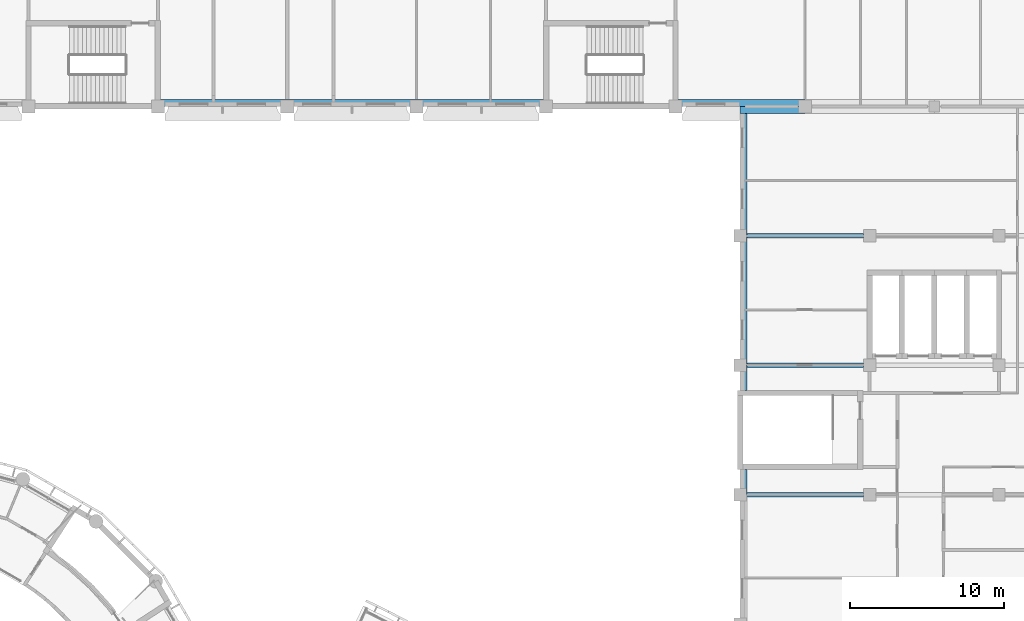
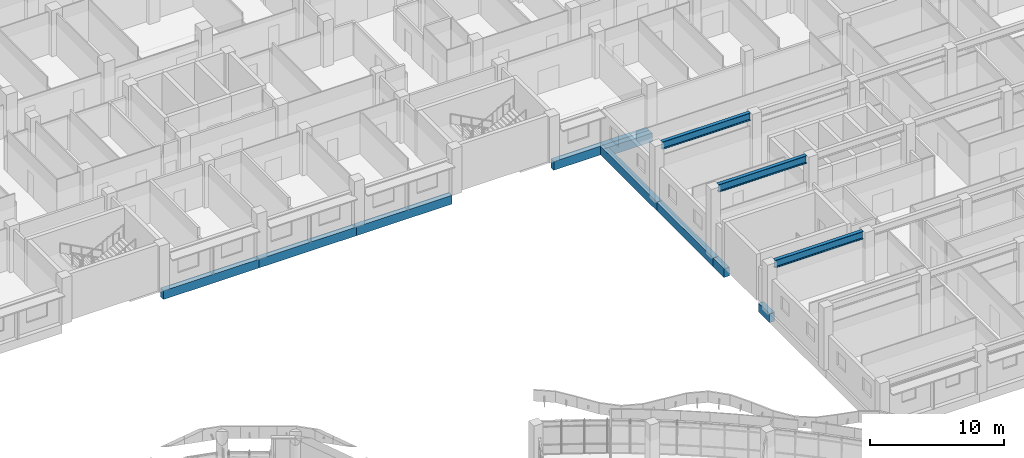
# One storey, part 26 of 109: 12 beams.
"""IFC4 building model written with IfcOpenShell, lengths in metres."""

from ifc_helpers import new_model, si_unit, direction, frame, origin, origin_2d, place, context, subcontext, project, spatial, rectangle, i_section, extrude, material, material_profile, profile_set, type_object, element, save


model = new_model("IFC4")

# Units and contexts
model_context = context("Model", 3, precision=1e-05, world=origin(), true_north=direction((0.0, 1.0)))
body_context = subcontext(model_context, "Body", "Model", "MODEL_VIEW")
ifc_project = project(units=[si_unit("LENGTHUNIT", "METRE"), si_unit("AREAUNIT", "SQUARE_METRE"), si_unit("VOLUMEUNIT", "CUBIC_METRE"), si_unit("PLANEANGLEUNIT", "RADIAN"), si_unit("MASSUNIT", "GRAM", prefix="KILO")], contexts=[model_context])

# Site, building, storey
site_placement = place(None, origin())
site = spatial("IfcSite", under=ifc_project, at=site_placement, CompositionType="ELEMENT")
building_placement = place(site_placement, origin())
building = spatial("IfcBuilding", under=site, at=building_placement, Name="Bougainvillea Quay General Hospital", CompositionType="ELEMENT")
storey_placement = place(building_placement, frame((0.0, 0.0, 12.60009765625)))
storey = spatial("IfcBuildingStorey", under=building, at=storey_placement, Name="L02", CompositionType="ELEMENT", Elevation=12.60009765625)

# Beams
ifc_material_1 = material(Name="Steel Q355", Category="steel")
ifc_material_profile_1 = material_profile(ifc_material_1, i_section(OverallWidth=0.300048828125, OverallDepth=0.699951171875, WebThickness=0.012939453125, FlangeThickness=0.02392578125, FilletRadius=0.01806640625, at=origin_2d()))
ifc_profile_set_1 = profile_set([ifc_material_profile_1], Name="Steel Q355")
beam_type_1 = type_object("IfcBeamType", Name="HN 700x300x13x24 Q355", PredefinedType="BEAM", material=ifc_profile_set_1)
for number, where, z_axis, x_axis, name in (
    (1, (164.199951171875, 92.39990234375, 4.159912109375), (1.0, 0.0, 0.0), (0.0, 1.0, 0.0), "Roof girder"),
    (2, (164.199951171875, 100.800048828125, 5.9599609375), (1.0, 0.0, 0.0), (0.0, 1.0, 0.0), "Roof girder"),
    (3, (164.199951171875, 109.199951171875, 4.760009765625), (1.0, 0.0, 0.0), (0.0, 1.0, 0.0), "Roof girder"),
):
    element("IfcBeam", number, at=place(storey_placement, frame(where, z_axis=z_axis, x_axis=x_axis)), inside=storey, type_object=beam_type_1, Name=name, PredefinedType="BEAM", context=body_context, shape_type="SweptSolid", body=[
        extrude(i_section(OverallWidth=0.300048828125, OverallDepth=0.699951171875, WebThickness=0.012939453125, FlangeThickness=0.02392578125, FilletRadius=0.01806640625, at=origin_2d()), origin(), (0.0, 0.0, 1.0), 7.60009765625),
    ])
ifc_material_2 = material(Name="Concrete C40", Category="concrete")
ifc_material_profile_2 = material_profile(ifc_material_2, rectangle(XDim=0.449951171875, YDim=0.800048828125, at=origin_2d()))
ifc_profile_set_2 = profile_set([ifc_material_profile_2], Name="Concrete C40")
beam_type_2 = type_object("IfcBeamType", Name="RC BEAM 450x800 C40", PredefinedType="BEAM", material=ifc_profile_set_2)
beam_1_placement = place(storey_placement, frame((164.02490234375, 117.60009765625, -0.7001953125), z_axis=(0.0, -1.0, 0.0), x_axis=(1.0, 0.0, 0.0)))
element("IfcBeam", 4, at=beam_1_placement, inside=storey, type_object=beam_type_2, Name="Edge beam L02", PredefinedType="BEAM", context=body_context, shape_type="SweptSolid", body=[
    extrude(rectangle(XDim=0.449951171875, YDim=0.800048828125, at=origin_2d()), origin(), (0.0, 0.0, 1.0), 8.400146484375),
])
beam_2_placement = place(storey_placement, frame((164.02490234375, 109.199951171875, -0.7001953125), z_axis=(0.0, -1.0, 0.0), x_axis=(1.0, 0.0, 0.0)))
element("IfcBeam", 5, at=beam_2_placement, inside=storey, type_object=beam_type_2, Name="Edge beam L02", PredefinedType="BEAM", context=body_context, shape_type="SweptSolid", body=[
    extrude(rectangle(XDim=0.449951171875, YDim=0.800048828125, at=origin_2d()), origin(), (0.0, 0.0, 1.0), 8.39990234375),
])
for number, where, z_axis, x_axis, name in (
    (6, (164.02490234375, 100.800048828125, -0.7001953125), (0.0, -1.0, 0.0), (1.0, 0.0, 0.0), "Edge beam L02"),
    (7, (164.02490234375, 94.02490234375, -0.7001953125), (0.0, -1.0, 0.0), (1.0, 0.0, 0.0), "Edge beam L02"),
):
    element("IfcBeam", number, at=place(storey_placement, frame(where, z_axis=z_axis, x_axis=x_axis)), inside=storey, type_object=beam_type_2, Name=name, PredefinedType="BEAM", context=body_context, shape_type="SweptSolid", body=[
        extrude(rectangle(XDim=0.449951171875, YDim=0.800048828125, at=origin_2d()), origin(), (0.0, 0.0, 1.0), 1.625),
    ])
beam_3_placement = place(storey_placement, frame((168.0, 117.375, -0.7001953125), z_axis=(-1.0, 0.0, 0.0), x_axis=(0.0, -1.0, 0.0)))
element("IfcBeam", 8, at=beam_3_placement, inside=storey, type_object=beam_type_2, Name="Edge beam L02", PredefinedType="BEAM", context=body_context, shape_type="SweptSolid", body=[
    extrude(rectangle(XDim=0.449951171875, YDim=0.800048828125, at=origin_2d()), origin(), (0.0, 0.0, 1.0), 4.199951171875),
])
beam_4_placement = place(storey_placement, frame((126.175048828125, 117.824951171875, -0.7001953125), z_axis=(1.0, 0.0, 0.0), x_axis=(0.0, 1.0, 0.0)))
element("IfcBeam", 9, at=beam_4_placement, inside=storey, type_object=beam_type_2, Name="Edge beam L02", PredefinedType="BEAM", context=body_context, shape_type="SweptSolid", body=[
    extrude(rectangle(XDim=0.449951171875, YDim=0.800048828125, at=origin_2d()), origin(), (0.0, 0.0, 1.0), 8.224853515625),
])
beam_5_placement = place(storey_placement, frame((134.39990234375, 117.824951171875, -0.7001953125), z_axis=(1.0, 0.0, 0.0), x_axis=(0.0, 1.0, 0.0)))
element("IfcBeam", 10, at=beam_5_placement, inside=storey, type_object=beam_type_2, Name="Edge beam L02", PredefinedType="BEAM", context=body_context, shape_type="SweptSolid", body=[
    extrude(rectangle(XDim=0.449951171875, YDim=0.800048828125, at=origin_2d()), origin(), (0.0, 0.0, 1.0), 8.400146484375),
])
beam_6_placement = place(storey_placement, frame((142.800048828125, 117.824951171875, -0.7001953125), z_axis=(1.0, 0.0, 0.0), x_axis=(0.0, 1.0, 0.0)))
element("IfcBeam", 11, at=beam_6_placement, inside=storey, type_object=beam_type_2, Name="Edge beam L02", PredefinedType="BEAM", context=body_context, shape_type="SweptSolid", body=[
    extrude(rectangle(XDim=0.449951171875, YDim=0.800048828125, at=origin_2d()), origin(), (0.0, 0.0, 1.0), 8.224853515625),
])
beam_7_placement = place(storey_placement, frame((159.77490234375, 117.824951171875, -0.7001953125), z_axis=(1.0, 0.0, 0.0), x_axis=(0.0, 1.0, 0.0)))
element("IfcBeam", 12, at=beam_7_placement, inside=storey, type_object=beam_type_2, Name="Edge beam L02", PredefinedType="BEAM", context=body_context, shape_type="SweptSolid", body=[
    extrude(rectangle(XDim=0.449951171875, YDim=0.800048828125, at=origin_2d()), origin(), (0.0, 0.0, 1.0), 8.22509765625),
])

save(model, "model.ifc")
